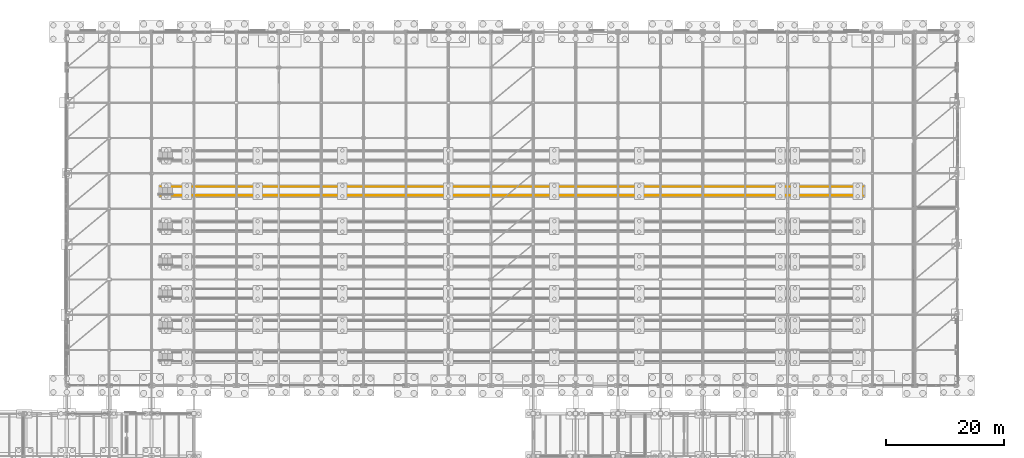
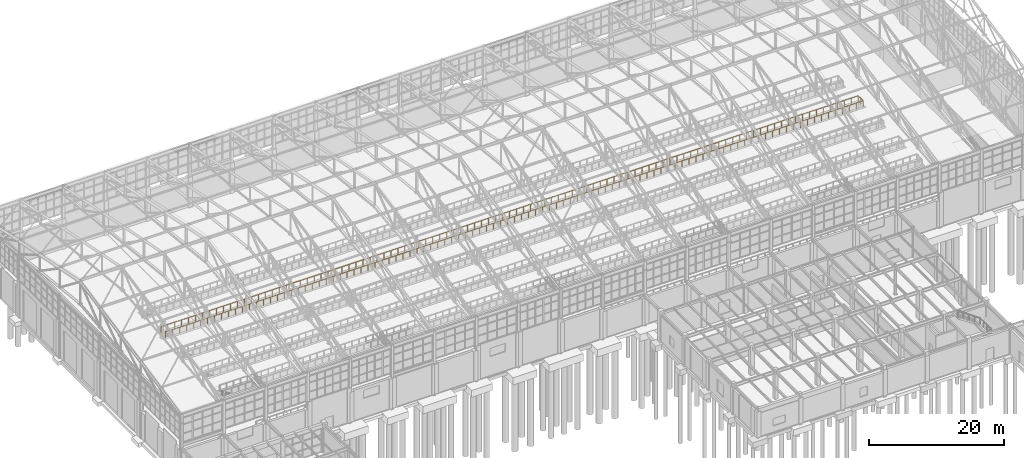
# One storey, part 287 of 293: 1 railing.
"""IFC4 building model written with IfcOpenShell, lengths in metres."""

from ifc_helpers import new_model, si_unit, direction, frame, origin, origin_2d, place, context, subcontext, project, spatial, circle, extrude, material, type_object, element, save


model = new_model("IFC4")

# Units and contexts
model_context = context("Model", 3, precision=1e-05, world=origin(), true_north=direction((0.0, 1.0)))
body_context = subcontext(model_context, "Body", "Model", "MODEL_VIEW")
ifc_project = project(units=[si_unit("LENGTHUNIT", "METRE"), si_unit("AREAUNIT", "SQUARE_METRE"), si_unit("VOLUMEUNIT", "CUBIC_METRE"), si_unit("PLANEANGLEUNIT", "RADIAN"), si_unit("MASSUNIT", "GRAM", prefix="KILO")], contexts=[model_context])

# Site, building, storey
site_placement = place(None, origin())
site = spatial("IfcSite", under=ifc_project, at=site_placement, CompositionType="ELEMENT")
building_placement = place(site_placement, origin())
building = spatial("IfcBuilding", under=site, at=building_placement, Name="Kemerveld Promenade Tramway Depot", CompositionType="ELEMENT")
storey_placement = place(building_placement, origin())
storey = spatial("IfcBuildingStorey", under=building, at=storey_placement, Name="L00", CompositionType="ELEMENT", Elevation=0.0)

# Railing
ifc_material = material(Name="Galvanised painted steel balustrade", Category="steel")
railing_type = type_object("IfcRailingType", Name="RL-GRD-1100", PredefinedType="GUARDRAIL", material=ifc_material)
railing_placement = place(storey_placement, frame((51.949951171875, 116.39501953125, 0.0)))
element("IfcRailing", 1, at=railing_placement, inside=storey, type_object=railing_type, Name="RL-PIT-PIT-06", PredefinedType="GUARDRAIL", context=body_context, shape_type="SweptSolid", body=[
    extrude(circle(Radius=0.02392578125, at=origin_2d()), frame((0.0, 0.0, 1.09619140625), z_axis=(0.0, -1.0, 0.0), x_axis=(1.0, 0.0, 0.0)), (0.0, 0.0, 1.0), 0.14501953125),
    extrude(circle(Radius=0.02392578125, at=origin_2d()), frame((0.0, -0.14501953125, 1.09619140625), z_axis=(1.0, 0.0, 0.0), x_axis=(0.0, 1.0, 0.0)), (0.0, 0.0, 1.0), 119.300048828125),
    extrude(circle(Radius=0.02392578125, at=origin_2d()), frame((119.300048828125, -0.14501953125, 1.09619140625), z_axis=(0.0, 1.0, 0.0), x_axis=(-1.0, 0.0, 0.0)), (0.0, 0.0, 1.0), 1.5),
    extrude(circle(Radius=0.02392578125, at=origin_2d()), frame((119.300048828125, 1.35498046875, 1.09619140625), z_axis=(-1.0, 0.0, 0.0), x_axis=(0.0, -1.0, 0.0)), (0.0, 0.0, 1.0), 119.300048828125),
    extrude(circle(Radius=0.02392578125, at=origin_2d()), frame((0.0, 1.35498046875, 1.09619140625), z_axis=(0.0, -1.0, 0.0), x_axis=(1.0, 0.0, 0.0)), (0.0, 0.0, 1.0), 0.14501953125),
    extrude(circle(Radius=0.02099609375, at=origin_2d()), origin(), (0.0, 0.0, 1.0), 1.072021484375),
    extrude(circle(Radius=0.02099609375, at=origin_2d()), frame((0.0, -0.14501953125, 0.0)), (0.0, 0.0, 1.0), 1.072021484375),
    extrude(circle(Radius=0.02099609375, at=origin_2d()), frame((1.193115234375, -0.14501953125, 0.0)), (0.0, 0.0, 1.0), 1.072021484375),
    extrude(circle(Radius=0.02099609375, at=origin_2d()), frame((2.385986328125, -0.14501953125, 0.0)), (0.0, 0.0, 1.0), 1.072021484375),
    extrude(circle(Radius=0.02099609375, at=origin_2d()), frame((3.5791015625, -0.14501953125, 0.0)), (0.0, 0.0, 1.0), 1.072021484375),
    extrude(circle(Radius=0.02099609375, at=origin_2d()), frame((4.77197265625, -0.14501953125, 0.0)), (0.0, 0.0, 1.0), 1.072021484375),
    extrude(circle(Radius=0.02099609375, at=origin_2d()), frame((5.965087890625, -0.14501953125, 0.0)), (0.0, 0.0, 1.0), 1.072021484375),
    extrude(circle(Radius=0.02099609375, at=origin_2d()), frame((7.157958984375, -0.14501953125, 0.0)), (0.0, 0.0, 1.0), 1.072021484375),
    extrude(circle(Radius=0.02099609375, at=origin_2d()), frame((8.35107421875, -0.14501953125, 0.0)), (0.0, 0.0, 1.0), 1.072021484375),
    extrude(circle(Radius=0.02099609375, at=origin_2d()), frame((9.5439453125, -0.14501953125, 0.0)), (0.0, 0.0, 1.0), 1.072021484375),
    extrude(circle(Radius=0.02099609375, at=origin_2d()), frame((10.737060546875, -0.14501953125, 0.0)), (0.0, 0.0, 1.0), 1.072021484375),
    extrude(circle(Radius=0.02099609375, at=origin_2d()), frame((11.929931640625, -0.14501953125, 0.0)), (0.0, 0.0, 1.0), 1.072021484375),
    extrude(circle(Radius=0.02099609375, at=origin_2d()), frame((13.123046875, -0.14501953125, 0.0)), (0.0, 0.0, 1.0), 1.072021484375),
    extrude(circle(Radius=0.02099609375, at=origin_2d()), frame((14.31591796875, -0.14501953125, 0.0)), (0.0, 0.0, 1.0), 1.072021484375),
    extrude(circle(Radius=0.02099609375, at=origin_2d()), frame((15.509033203125, -0.14501953125, 0.0)), (0.0, 0.0, 1.0), 1.072021484375),
    extrude(circle(Radius=0.02099609375, at=origin_2d()), frame((16.701904296875, -0.14501953125, 0.0)), (0.0, 0.0, 1.0), 1.072021484375),
    extrude(circle(Radius=0.02099609375, at=origin_2d()), frame((17.89501953125, -0.14501953125, 0.0)), (0.0, 0.0, 1.0), 1.072021484375),
    extrude(circle(Radius=0.02099609375, at=origin_2d()), frame((19.087890625, -0.14501953125, 0.0)), (0.0, 0.0, 1.0), 1.072021484375),
    extrude(circle(Radius=0.02099609375, at=origin_2d()), frame((20.281005859375, -0.14501953125, 0.0)), (0.0, 0.0, 1.0), 1.072021484375),
    extrude(circle(Radius=0.02099609375, at=origin_2d()), frame((21.47412109375, -0.14501953125, 0.0)), (0.0, 0.0, 1.0), 1.072021484375),
    extrude(circle(Radius=0.02099609375, at=origin_2d()), frame((22.6669921875, -0.14501953125, 0.0)), (0.0, 0.0, 1.0), 1.072021484375),
    extrude(circle(Radius=0.02099609375, at=origin_2d()), frame((23.860107421875, -0.14501953125, 0.0)), (0.0, 0.0, 1.0), 1.072021484375),
    extrude(circle(Radius=0.02099609375, at=origin_2d()), frame((25.052978515625, -0.14501953125, 0.0)), (0.0, 0.0, 1.0), 1.072021484375),
    extrude(circle(Radius=0.02099609375, at=origin_2d()), frame((26.24609375, -0.14501953125, 0.0)), (0.0, 0.0, 1.0), 1.072021484375),
    extrude(circle(Radius=0.02099609375, at=origin_2d()), frame((27.43896484375, -0.14501953125, 0.0)), (0.0, 0.0, 1.0), 1.072021484375),
    extrude(circle(Radius=0.02099609375, at=origin_2d()), frame((28.632080078125, -0.14501953125, 0.0)), (0.0, 0.0, 1.0), 1.072021484375),
    extrude(circle(Radius=0.02099609375, at=origin_2d()), frame((29.824951171875, -0.14501953125, 0.0)), (0.0, 0.0, 1.0), 1.072021484375),
    extrude(circle(Radius=0.02099609375, at=origin_2d()), frame((31.01806640625, -0.14501953125, 0.0)), (0.0, 0.0, 1.0), 1.072021484375),
    extrude(circle(Radius=0.02099609375, at=origin_2d()), frame((32.2109375, -0.14501953125, 0.0)), (0.0, 0.0, 1.0), 1.072021484375),
    extrude(circle(Radius=0.02099609375, at=origin_2d()), frame((33.404052734375, -0.14501953125, 0.0)), (0.0, 0.0, 1.0), 1.072021484375),
    extrude(circle(Radius=0.02099609375, at=origin_2d()), frame((34.596923828125, -0.14501953125, 0.0)), (0.0, 0.0, 1.0), 1.072021484375),
    extrude(circle(Radius=0.02099609375, at=origin_2d()), frame((35.7900390625, -0.14501953125, 0.0)), (0.0, 0.0, 1.0), 1.072021484375),
    extrude(circle(Radius=0.02099609375, at=origin_2d()), frame((36.98291015625, -0.14501953125, 0.0)), (0.0, 0.0, 1.0), 1.072021484375),
    extrude(circle(Radius=0.02099609375, at=origin_2d()), frame((38.176025390625, -0.14501953125, 0.0)), (0.0, 0.0, 1.0), 1.072021484375),
    extrude(circle(Radius=0.02099609375, at=origin_2d()), frame((39.368896484375, -0.14501953125, 0.0)), (0.0, 0.0, 1.0), 1.072021484375),
    extrude(circle(Radius=0.02099609375, at=origin_2d()), frame((40.56201171875, -0.14501953125, 0.0)), (0.0, 0.0, 1.0), 1.072021484375),
    extrude(circle(Radius=0.02099609375, at=origin_2d()), frame((41.755126953125, -0.14501953125, 0.0)), (0.0, 0.0, 1.0), 1.072021484375),
    extrude(circle(Radius=0.02099609375, at=origin_2d()), frame((42.947998046875, -0.14501953125, 0.0)), (0.0, 0.0, 1.0), 1.072021484375),
    extrude(circle(Radius=0.02099609375, at=origin_2d()), frame((44.14111328125, -0.14501953125, 0.0)), (0.0, 0.0, 1.0), 1.072021484375),
    extrude(circle(Radius=0.02099609375, at=origin_2d()), frame((45.333984375, -0.14501953125, 0.0)), (0.0, 0.0, 1.0), 1.072021484375),
    extrude(circle(Radius=0.02099609375, at=origin_2d()), frame((46.527099609375, -0.14501953125, 0.0)), (0.0, 0.0, 1.0), 1.072021484375),
    extrude(circle(Radius=0.02099609375, at=origin_2d()), frame((47.719970703125, -0.14501953125, 0.0)), (0.0, 0.0, 1.0), 1.072021484375),
    extrude(circle(Radius=0.02099609375, at=origin_2d()), frame((48.9130859375, -0.14501953125, 0.0)), (0.0, 0.0, 1.0), 1.072021484375),
    extrude(circle(Radius=0.02099609375, at=origin_2d()), frame((50.10595703125, -0.14501953125, 0.0)), (0.0, 0.0, 1.0), 1.072021484375),
    extrude(circle(Radius=0.02099609375, at=origin_2d()), frame((51.299072265625, -0.14501953125, 0.0)), (0.0, 0.0, 1.0), 1.072021484375),
    extrude(circle(Radius=0.02099609375, at=origin_2d()), frame((52.491943359375, -0.14501953125, 0.0)), (0.0, 0.0, 1.0), 1.072021484375),
    extrude(circle(Radius=0.02099609375, at=origin_2d()), frame((53.68505859375, -0.14501953125, 0.0)), (0.0, 0.0, 1.0), 1.072021484375),
    extrude(circle(Radius=0.02099609375, at=origin_2d()), frame((54.8779296875, -0.14501953125, 0.0)), (0.0, 0.0, 1.0), 1.072021484375),
    extrude(circle(Radius=0.02099609375, at=origin_2d()), frame((56.071044921875, -0.14501953125, 0.0)), (0.0, 0.0, 1.0), 1.072021484375),
    extrude(circle(Radius=0.02099609375, at=origin_2d()), frame((57.263916015625, -0.14501953125, 0.0)), (0.0, 0.0, 1.0), 1.072021484375),
    extrude(circle(Radius=0.02099609375, at=origin_2d()), frame((58.45703125, -0.14501953125, 0.0)), (0.0, 0.0, 1.0), 1.072021484375),
    extrude(circle(Radius=0.02099609375, at=origin_2d()), frame((59.64990234375, -0.14501953125, 0.0)), (0.0, 0.0, 1.0), 1.072021484375),
    extrude(circle(Radius=0.02099609375, at=origin_2d()), frame((60.843017578125, -0.14501953125, 0.0)), (0.0, 0.0, 1.0), 1.072021484375),
    extrude(circle(Radius=0.02099609375, at=origin_2d()), frame((62.0361328125, -0.14501953125, 0.0)), (0.0, 0.0, 1.0), 1.072021484375),
    extrude(circle(Radius=0.02099609375, at=origin_2d()), frame((63.22900390625, -0.14501953125, 0.0)), (0.0, 0.0, 1.0), 1.072021484375),
    extrude(circle(Radius=0.02099609375, at=origin_2d()), frame((64.422119140625, -0.14501953125, 0.0)), (0.0, 0.0, 1.0), 1.072021484375),
    extrude(circle(Radius=0.02099609375, at=origin_2d()), frame((65.614990234375, -0.14501953125, 0.0)), (0.0, 0.0, 1.0), 1.072021484375),
    extrude(circle(Radius=0.02099609375, at=origin_2d()), frame((66.80810546875, -0.14501953125, 0.0)), (0.0, 0.0, 1.0), 1.072021484375),
    extrude(circle(Radius=0.02099609375, at=origin_2d()), frame((68.0009765625, -0.14501953125, 0.0)), (0.0, 0.0, 1.0), 1.072021484375),
    extrude(circle(Radius=0.02099609375, at=origin_2d()), frame((69.194091796875, -0.14501953125, 0.0)), (0.0, 0.0, 1.0), 1.072021484375),
    extrude(circle(Radius=0.02099609375, at=origin_2d()), frame((70.386962890625, -0.14501953125, 0.0)), (0.0, 0.0, 1.0), 1.072021484375),
    extrude(circle(Radius=0.02099609375, at=origin_2d()), frame((71.580078125, -0.14501953125, 0.0)), (0.0, 0.0, 1.0), 1.072021484375),
    extrude(circle(Radius=0.02099609375, at=origin_2d()), frame((72.77294921875, -0.14501953125, 0.0)), (0.0, 0.0, 1.0), 1.072021484375),
    extrude(circle(Radius=0.02099609375, at=origin_2d()), frame((73.966064453125, -0.14501953125, 0.0)), (0.0, 0.0, 1.0), 1.072021484375),
    extrude(circle(Radius=0.02099609375, at=origin_2d()), frame((75.158935546875, -0.14501953125, 0.0)), (0.0, 0.0, 1.0), 1.072021484375),
    extrude(circle(Radius=0.02099609375, at=origin_2d()), frame((76.35205078125, -0.14501953125, 0.0)), (0.0, 0.0, 1.0), 1.072021484375),
    extrude(circle(Radius=0.02099609375, at=origin_2d()), frame((77.544921875, -0.14501953125, 0.0)), (0.0, 0.0, 1.0), 1.072021484375),
    extrude(circle(Radius=0.02099609375, at=origin_2d()), frame((78.738037109375, -0.14501953125, 0.0)), (0.0, 0.0, 1.0), 1.072021484375),
    extrude(circle(Radius=0.02099609375, at=origin_2d()), frame((79.93115234375, -0.14501953125, 0.0)), (0.0, 0.0, 1.0), 1.072021484375),
    extrude(circle(Radius=0.02099609375, at=origin_2d()), frame((81.1240234375, -0.14501953125, 0.0)), (0.0, 0.0, 1.0), 1.072021484375),
    extrude(circle(Radius=0.02099609375, at=origin_2d()), frame((82.317138671875, -0.14501953125, 0.0)), (0.0, 0.0, 1.0), 1.072021484375),
    extrude(circle(Radius=0.02099609375, at=origin_2d()), frame((83.510009765625, -0.14501953125, 0.0)), (0.0, 0.0, 1.0), 1.072021484375),
    extrude(circle(Radius=0.02099609375, at=origin_2d()), frame((84.703125, -0.14501953125, 0.0)), (0.0, 0.0, 1.0), 1.072021484375),
    extrude(circle(Radius=0.02099609375, at=origin_2d()), frame((85.89599609375, -0.14501953125, 0.0)), (0.0, 0.0, 1.0), 1.072021484375),
    extrude(circle(Radius=0.02099609375, at=origin_2d()), frame((87.089111328125, -0.14501953125, 0.0)), (0.0, 0.0, 1.0), 1.072021484375),
    extrude(circle(Radius=0.02099609375, at=origin_2d()), frame((88.281982421875, -0.14501953125, 0.0)), (0.0, 0.0, 1.0), 1.072021484375),
    extrude(circle(Radius=0.02099609375, at=origin_2d()), frame((89.47509765625, -0.14501953125, 0.0)), (0.0, 0.0, 1.0), 1.072021484375),
    extrude(circle(Radius=0.02099609375, at=origin_2d()), frame((90.66796875, -0.14501953125, 0.0)), (0.0, 0.0, 1.0), 1.072021484375),
    extrude(circle(Radius=0.02099609375, at=origin_2d()), frame((91.861083984375, -0.14501953125, 0.0)), (0.0, 0.0, 1.0), 1.072021484375),
    extrude(circle(Radius=0.02099609375, at=origin_2d()), frame((93.053955078125, -0.14501953125, 0.0)), (0.0, 0.0, 1.0), 1.072021484375),
    extrude(circle(Radius=0.02099609375, at=origin_2d()), frame((94.2470703125, -0.14501953125, 0.0)), (0.0, 0.0, 1.0), 1.072021484375),
    extrude(circle(Radius=0.02099609375, at=origin_2d()), frame((95.43994140625, -0.14501953125, 0.0)), (0.0, 0.0, 1.0), 1.072021484375),
    extrude(circle(Radius=0.02099609375, at=origin_2d()), frame((96.633056640625, -0.14501953125, 0.0)), (0.0, 0.0, 1.0), 1.072021484375),
    extrude(circle(Radius=0.02099609375, at=origin_2d()), frame((97.825927734375, -0.14501953125, 0.0)), (0.0, 0.0, 1.0), 1.072021484375),
    extrude(circle(Radius=0.02099609375, at=origin_2d()), frame((99.01904296875, -0.14501953125, 0.0)), (0.0, 0.0, 1.0), 1.072021484375),
    extrude(circle(Radius=0.02099609375, at=origin_2d()), frame((100.212158203125, -0.14501953125, 0.0)), (0.0, 0.0, 1.0), 1.072021484375),
    extrude(circle(Radius=0.02099609375, at=origin_2d()), frame((101.405029296875, -0.14501953125, 0.0)), (0.0, 0.0, 1.0), 1.072021484375),
    extrude(circle(Radius=0.02099609375, at=origin_2d()), frame((102.59814453125, -0.14501953125, 0.0)), (0.0, 0.0, 1.0), 1.072021484375),
    extrude(circle(Radius=0.02099609375, at=origin_2d()), frame((103.791015625, -0.14501953125, 0.0)), (0.0, 0.0, 1.0), 1.072021484375),
    extrude(circle(Radius=0.02099609375, at=origin_2d()), frame((104.984130859375, -0.14501953125, 0.0)), (0.0, 0.0, 1.0), 1.072021484375),
    extrude(circle(Radius=0.02099609375, at=origin_2d()), frame((106.177001953125, -0.14501953125, 0.0)), (0.0, 0.0, 1.0), 1.072021484375),
    extrude(circle(Radius=0.02099609375, at=origin_2d()), frame((107.3701171875, -0.14501953125, 0.0)), (0.0, 0.0, 1.0), 1.072021484375),
    extrude(circle(Radius=0.02099609375, at=origin_2d()), frame((108.56298828125, -0.14501953125, 0.0)), (0.0, 0.0, 1.0), 1.072021484375),
    extrude(circle(Radius=0.02099609375, at=origin_2d()), frame((109.756103515625, -0.14501953125, 0.0)), (0.0, 0.0, 1.0), 1.072021484375),
    extrude(circle(Radius=0.02099609375, at=origin_2d()), frame((110.948974609375, -0.14501953125, 0.0)), (0.0, 0.0, 1.0), 1.072021484375),
    extrude(circle(Radius=0.02099609375, at=origin_2d()), frame((112.14208984375, -0.14501953125, 0.0)), (0.0, 0.0, 1.0), 1.072021484375),
    extrude(circle(Radius=0.02099609375, at=origin_2d()), frame((113.3349609375, -0.14501953125, 0.0)), (0.0, 0.0, 1.0), 1.072021484375),
    extrude(circle(Radius=0.02099609375, at=origin_2d()), frame((114.528076171875, -0.14501953125, 0.0)), (0.0, 0.0, 1.0), 1.072021484375),
    extrude(circle(Radius=0.02099609375, at=origin_2d()), frame((115.720947265625, -0.14501953125, 0.0)), (0.0, 0.0, 1.0), 1.072021484375),
    extrude(circle(Radius=0.02099609375, at=origin_2d()), frame((116.9140625, -0.14501953125, 0.0)), (0.0, 0.0, 1.0), 1.072021484375),
    extrude(circle(Radius=0.02099609375, at=origin_2d()), frame((118.10693359375, -0.14501953125, 0.0)), (0.0, 0.0, 1.0), 1.072021484375),
    extrude(circle(Radius=0.02099609375, at=origin_2d()), frame((119.300048828125, -0.14501953125, 0.0)), (0.0, 0.0, 1.0), 1.072021484375),
    extrude(circle(Radius=0.02099609375, at=origin_2d()), frame((119.300048828125, 0.60498046875, 0.0)), (0.0, 0.0, 1.0), 1.072021484375),
    extrude(circle(Radius=0.02099609375, at=origin_2d()), frame((119.300048828125, 1.35498046875, 0.0)), (0.0, 0.0, 1.0), 1.072021484375),
    extrude(circle(Radius=0.02099609375, at=origin_2d()), frame((118.10693359375, 1.35498046875, 0.0)), (0.0, 0.0, 1.0), 1.072021484375),
    extrude(circle(Radius=0.02099609375, at=origin_2d()), frame((116.9140625, 1.35498046875, 0.0)), (0.0, 0.0, 1.0), 1.072021484375),
    extrude(circle(Radius=0.02099609375, at=origin_2d()), frame((115.720947265625, 1.35498046875, 0.0)), (0.0, 0.0, 1.0), 1.072021484375),
    extrude(circle(Radius=0.02099609375, at=origin_2d()), frame((114.528076171875, 1.35498046875, 0.0)), (0.0, 0.0, 1.0), 1.072021484375),
    extrude(circle(Radius=0.02099609375, at=origin_2d()), frame((113.3349609375, 1.35498046875, 0.0)), (0.0, 0.0, 1.0), 1.072021484375),
    extrude(circle(Radius=0.02099609375, at=origin_2d()), frame((112.14208984375, 1.35498046875, 0.0)), (0.0, 0.0, 1.0), 1.072021484375),
    extrude(circle(Radius=0.02099609375, at=origin_2d()), frame((110.948974609375, 1.35498046875, 0.0)), (0.0, 0.0, 1.0), 1.072021484375),
    extrude(circle(Radius=0.02099609375, at=origin_2d()), frame((109.756103515625, 1.35498046875, 0.0)), (0.0, 0.0, 1.0), 1.072021484375),
    extrude(circle(Radius=0.02099609375, at=origin_2d()), frame((108.56298828125, 1.35498046875, 0.0)), (0.0, 0.0, 1.0), 1.072021484375),
    extrude(circle(Radius=0.02099609375, at=origin_2d()), frame((107.3701171875, 1.35498046875, 0.0)), (0.0, 0.0, 1.0), 1.072021484375),
    extrude(circle(Radius=0.02099609375, at=origin_2d()), frame((106.177001953125, 1.35498046875, 0.0)), (0.0, 0.0, 1.0), 1.072021484375),
    extrude(circle(Radius=0.02099609375, at=origin_2d()), frame((104.984130859375, 1.35498046875, 0.0)), (0.0, 0.0, 1.0), 1.072021484375),
    extrude(circle(Radius=0.02099609375, at=origin_2d()), frame((103.791015625, 1.35498046875, 0.0)), (0.0, 0.0, 1.0), 1.072021484375),
    extrude(circle(Radius=0.02099609375, at=origin_2d()), frame((102.59814453125, 1.35498046875, 0.0)), (0.0, 0.0, 1.0), 1.072021484375),
    extrude(circle(Radius=0.02099609375, at=origin_2d()), frame((101.405029296875, 1.35498046875, 0.0)), (0.0, 0.0, 1.0), 1.072021484375),
    extrude(circle(Radius=0.02099609375, at=origin_2d()), frame((100.212158203125, 1.35498046875, 0.0)), (0.0, 0.0, 1.0), 1.072021484375),
    extrude(circle(Radius=0.02099609375, at=origin_2d()), frame((99.01904296875, 1.35498046875, 0.0)), (0.0, 0.0, 1.0), 1.072021484375),
    extrude(circle(Radius=0.02099609375, at=origin_2d()), frame((97.825927734375, 1.35498046875, 0.0)), (0.0, 0.0, 1.0), 1.072021484375),
    extrude(circle(Radius=0.02099609375, at=origin_2d()), frame((96.633056640625, 1.35498046875, 0.0)), (0.0, 0.0, 1.0), 1.072021484375),
    extrude(circle(Radius=0.02099609375, at=origin_2d()), frame((95.43994140625, 1.35498046875, 0.0)), (0.0, 0.0, 1.0), 1.072021484375),
    extrude(circle(Radius=0.02099609375, at=origin_2d()), frame((94.2470703125, 1.35498046875, 0.0)), (0.0, 0.0, 1.0), 1.072021484375),
    extrude(circle(Radius=0.02099609375, at=origin_2d()), frame((93.053955078125, 1.35498046875, 0.0)), (0.0, 0.0, 1.0), 1.072021484375),
    extrude(circle(Radius=0.02099609375, at=origin_2d()), frame((91.861083984375, 1.35498046875, 0.0)), (0.0, 0.0, 1.0), 1.072021484375),
    extrude(circle(Radius=0.02099609375, at=origin_2d()), frame((90.66796875, 1.35498046875, 0.0)), (0.0, 0.0, 1.0), 1.072021484375),
    extrude(circle(Radius=0.02099609375, at=origin_2d()), frame((89.47509765625, 1.35498046875, 0.0)), (0.0, 0.0, 1.0), 1.072021484375),
    extrude(circle(Radius=0.02099609375, at=origin_2d()), frame((88.281982421875, 1.35498046875, 0.0)), (0.0, 0.0, 1.0), 1.072021484375),
    extrude(circle(Radius=0.02099609375, at=origin_2d()), frame((87.089111328125, 1.35498046875, 0.0)), (0.0, 0.0, 1.0), 1.072021484375),
    extrude(circle(Radius=0.02099609375, at=origin_2d()), frame((85.89599609375, 1.35498046875, 0.0)), (0.0, 0.0, 1.0), 1.072021484375),
    extrude(circle(Radius=0.02099609375, at=origin_2d()), frame((84.703125, 1.35498046875, 0.0)), (0.0, 0.0, 1.0), 1.072021484375),
    extrude(circle(Radius=0.02099609375, at=origin_2d()), frame((83.510009765625, 1.35498046875, 0.0)), (0.0, 0.0, 1.0), 1.072021484375),
    extrude(circle(Radius=0.02099609375, at=origin_2d()), frame((82.317138671875, 1.35498046875, 0.0)), (0.0, 0.0, 1.0), 1.072021484375),
    extrude(circle(Radius=0.02099609375, at=origin_2d()), frame((81.1240234375, 1.35498046875, 0.0)), (0.0, 0.0, 1.0), 1.072021484375),
    extrude(circle(Radius=0.02099609375, at=origin_2d()), frame((79.93115234375, 1.35498046875, 0.0)), (0.0, 0.0, 1.0), 1.072021484375),
    extrude(circle(Radius=0.02099609375, at=origin_2d()), frame((78.738037109375, 1.35498046875, 0.0)), (0.0, 0.0, 1.0), 1.072021484375),
    extrude(circle(Radius=0.02099609375, at=origin_2d()), frame((77.544921875, 1.35498046875, 0.0)), (0.0, 0.0, 1.0), 1.072021484375),
    extrude(circle(Radius=0.02099609375, at=origin_2d()), frame((76.35205078125, 1.35498046875, 0.0)), (0.0, 0.0, 1.0), 1.072021484375),
    extrude(circle(Radius=0.02099609375, at=origin_2d()), frame((75.158935546875, 1.35498046875, 0.0)), (0.0, 0.0, 1.0), 1.072021484375),
    extrude(circle(Radius=0.02099609375, at=origin_2d()), frame((73.966064453125, 1.35498046875, 0.0)), (0.0, 0.0, 1.0), 1.072021484375),
    extrude(circle(Radius=0.02099609375, at=origin_2d()), frame((72.77294921875, 1.35498046875, 0.0)), (0.0, 0.0, 1.0), 1.072021484375),
    extrude(circle(Radius=0.02099609375, at=origin_2d()), frame((71.580078125, 1.35498046875, 0.0)), (0.0, 0.0, 1.0), 1.072021484375),
    extrude(circle(Radius=0.02099609375, at=origin_2d()), frame((70.386962890625, 1.35498046875, 0.0)), (0.0, 0.0, 1.0), 1.072021484375),
    extrude(circle(Radius=0.02099609375, at=origin_2d()), frame((69.194091796875, 1.35498046875, 0.0)), (0.0, 0.0, 1.0), 1.072021484375),
    extrude(circle(Radius=0.02099609375, at=origin_2d()), frame((68.0009765625, 1.35498046875, 0.0)), (0.0, 0.0, 1.0), 1.072021484375),
    extrude(circle(Radius=0.02099609375, at=origin_2d()), frame((66.80810546875, 1.35498046875, 0.0)), (0.0, 0.0, 1.0), 1.072021484375),
    extrude(circle(Radius=0.02099609375, at=origin_2d()), frame((65.614990234375, 1.35498046875, 0.0)), (0.0, 0.0, 1.0), 1.072021484375),
    extrude(circle(Radius=0.02099609375, at=origin_2d()), frame((64.422119140625, 1.35498046875, 0.0)), (0.0, 0.0, 1.0), 1.072021484375),
    extrude(circle(Radius=0.02099609375, at=origin_2d()), frame((63.22900390625, 1.35498046875, 0.0)), (0.0, 0.0, 1.0), 1.072021484375),
    extrude(circle(Radius=0.02099609375, at=origin_2d()), frame((62.0361328125, 1.35498046875, 0.0)), (0.0, 0.0, 1.0), 1.072021484375),
    extrude(circle(Radius=0.02099609375, at=origin_2d()), frame((60.843017578125, 1.35498046875, 0.0)), (0.0, 0.0, 1.0), 1.072021484375),
    extrude(circle(Radius=0.02099609375, at=origin_2d()), frame((59.64990234375, 1.35498046875, 0.0)), (0.0, 0.0, 1.0), 1.072021484375),
    extrude(circle(Radius=0.02099609375, at=origin_2d()), frame((58.45703125, 1.35498046875, 0.0)), (0.0, 0.0, 1.0), 1.072021484375),
    extrude(circle(Radius=0.02099609375, at=origin_2d()), frame((57.263916015625, 1.35498046875, 0.0)), (0.0, 0.0, 1.0), 1.072021484375),
    extrude(circle(Radius=0.02099609375, at=origin_2d()), frame((56.071044921875, 1.35498046875, 0.0)), (0.0, 0.0, 1.0), 1.072021484375),
    extrude(circle(Radius=0.02099609375, at=origin_2d()), frame((54.8779296875, 1.35498046875, 0.0)), (0.0, 0.0, 1.0), 1.072021484375),
    extrude(circle(Radius=0.02099609375, at=origin_2d()), frame((53.68505859375, 1.35498046875, 0.0)), (0.0, 0.0, 1.0), 1.072021484375),
    extrude(circle(Radius=0.02099609375, at=origin_2d()), frame((52.491943359375, 1.35498046875, 0.0)), (0.0, 0.0, 1.0), 1.072021484375),
    extrude(circle(Radius=0.02099609375, at=origin_2d()), frame((51.299072265625, 1.35498046875, 0.0)), (0.0, 0.0, 1.0), 1.072021484375),
    extrude(circle(Radius=0.02099609375, at=origin_2d()), frame((50.10595703125, 1.35498046875, 0.0)), (0.0, 0.0, 1.0), 1.072021484375),
    extrude(circle(Radius=0.02099609375, at=origin_2d()), frame((48.9130859375, 1.35498046875, 0.0)), (0.0, 0.0, 1.0), 1.072021484375),
    extrude(circle(Radius=0.02099609375, at=origin_2d()), frame((47.719970703125, 1.35498046875, 0.0)), (0.0, 0.0, 1.0), 1.072021484375),
    extrude(circle(Radius=0.02099609375, at=origin_2d()), frame((46.527099609375, 1.35498046875, 0.0)), (0.0, 0.0, 1.0), 1.072021484375),
    extrude(circle(Radius=0.02099609375, at=origin_2d()), frame((45.333984375, 1.35498046875, 0.0)), (0.0, 0.0, 1.0), 1.072021484375),
    extrude(circle(Radius=0.02099609375, at=origin_2d()), frame((44.14111328125, 1.35498046875, 0.0)), (0.0, 0.0, 1.0), 1.072021484375),
    extrude(circle(Radius=0.02099609375, at=origin_2d()), frame((42.947998046875, 1.35498046875, 0.0)), (0.0, 0.0, 1.0), 1.072021484375),
    extrude(circle(Radius=0.02099609375, at=origin_2d()), frame((41.755126953125, 1.35498046875, 0.0)), (0.0, 0.0, 1.0), 1.072021484375),
    extrude(circle(Radius=0.02099609375, at=origin_2d()), frame((40.56201171875, 1.35498046875, 0.0)), (0.0, 0.0, 1.0), 1.072021484375),
    extrude(circle(Radius=0.02099609375, at=origin_2d()), frame((39.368896484375, 1.35498046875, 0.0)), (0.0, 0.0, 1.0), 1.072021484375),
    extrude(circle(Radius=0.02099609375, at=origin_2d()), frame((38.176025390625, 1.35498046875, 0.0)), (0.0, 0.0, 1.0), 1.072021484375),
    extrude(circle(Radius=0.02099609375, at=origin_2d()), frame((36.98291015625, 1.35498046875, 0.0)), (0.0, 0.0, 1.0), 1.072021484375),
    extrude(circle(Radius=0.02099609375, at=origin_2d()), frame((35.7900390625, 1.35498046875, 0.0)), (0.0, 0.0, 1.0), 1.072021484375),
    extrude(circle(Radius=0.02099609375, at=origin_2d()), frame((34.596923828125, 1.35498046875, 0.0)), (0.0, 0.0, 1.0), 1.072021484375),
    extrude(circle(Radius=0.02099609375, at=origin_2d()), frame((33.404052734375, 1.35498046875, 0.0)), (0.0, 0.0, 1.0), 1.072021484375),
    extrude(circle(Radius=0.02099609375, at=origin_2d()), frame((32.2109375, 1.35498046875, 0.0)), (0.0, 0.0, 1.0), 1.072021484375),
    extrude(circle(Radius=0.02099609375, at=origin_2d()), frame((31.01806640625, 1.35498046875, 0.0)), (0.0, 0.0, 1.0), 1.072021484375),
    extrude(circle(Radius=0.02099609375, at=origin_2d()), frame((29.824951171875, 1.35498046875, 0.0)), (0.0, 0.0, 1.0), 1.072021484375),
    extrude(circle(Radius=0.02099609375, at=origin_2d()), frame((28.632080078125, 1.35498046875, 0.0)), (0.0, 0.0, 1.0), 1.072021484375),
    extrude(circle(Radius=0.02099609375, at=origin_2d()), frame((27.43896484375, 1.35498046875, 0.0)), (0.0, 0.0, 1.0), 1.072021484375),
    extrude(circle(Radius=0.02099609375, at=origin_2d()), frame((26.24609375, 1.35498046875, 0.0)), (0.0, 0.0, 1.0), 1.072021484375),
    extrude(circle(Radius=0.02099609375, at=origin_2d()), frame((25.052978515625, 1.35498046875, 0.0)), (0.0, 0.0, 1.0), 1.072021484375),
    extrude(circle(Radius=0.02099609375, at=origin_2d()), frame((23.860107421875, 1.35498046875, 0.0)), (0.0, 0.0, 1.0), 1.072021484375),
    extrude(circle(Radius=0.02099609375, at=origin_2d()), frame((22.6669921875, 1.35498046875, 0.0)), (0.0, 0.0, 1.0), 1.072021484375),
    extrude(circle(Radius=0.02099609375, at=origin_2d()), frame((21.47412109375, 1.35498046875, 0.0)), (0.0, 0.0, 1.0), 1.072021484375),
    extrude(circle(Radius=0.02099609375, at=origin_2d()), frame((20.281005859375, 1.35498046875, 0.0)), (0.0, 0.0, 1.0), 1.072021484375),
    extrude(circle(Radius=0.02099609375, at=origin_2d()), frame((19.087890625, 1.35498046875, 0.0)), (0.0, 0.0, 1.0), 1.072021484375),
    extrude(circle(Radius=0.02099609375, at=origin_2d()), frame((17.89501953125, 1.35498046875, 0.0)), (0.0, 0.0, 1.0), 1.072021484375),
    extrude(circle(Radius=0.02099609375, at=origin_2d()), frame((16.701904296875, 1.35498046875, 0.0)), (0.0, 0.0, 1.0), 1.072021484375),
    extrude(circle(Radius=0.02099609375, at=origin_2d()), frame((15.509033203125, 1.35498046875, 0.0)), (0.0, 0.0, 1.0), 1.072021484375),
    extrude(circle(Radius=0.02099609375, at=origin_2d()), frame((14.31591796875, 1.35498046875, 0.0)), (0.0, 0.0, 1.0), 1.072021484375),
    extrude(circle(Radius=0.02099609375, at=origin_2d()), frame((13.123046875, 1.35498046875, 0.0)), (0.0, 0.0, 1.0), 1.072021484375),
    extrude(circle(Radius=0.02099609375, at=origin_2d()), frame((11.929931640625, 1.35498046875, 0.0)), (0.0, 0.0, 1.0), 1.072021484375),
    extrude(circle(Radius=0.02099609375, at=origin_2d()), frame((10.737060546875, 1.35498046875, 0.0)), (0.0, 0.0, 1.0), 1.072021484375),
    extrude(circle(Radius=0.02099609375, at=origin_2d()), frame((9.5439453125, 1.35498046875, 0.0)), (0.0, 0.0, 1.0), 1.072021484375),
    extrude(circle(Radius=0.02099609375, at=origin_2d()), frame((8.35107421875, 1.35498046875, 0.0)), (0.0, 0.0, 1.0), 1.072021484375),
    extrude(circle(Radius=0.02099609375, at=origin_2d()), frame((7.157958984375, 1.35498046875, 0.0)), (0.0, 0.0, 1.0), 1.072021484375),
    extrude(circle(Radius=0.02099609375, at=origin_2d()), frame((5.965087890625, 1.35498046875, 0.0)), (0.0, 0.0, 1.0), 1.072021484375),
    extrude(circle(Radius=0.02099609375, at=origin_2d()), frame((4.77197265625, 1.35498046875, 0.0)), (0.0, 0.0, 1.0), 1.072021484375),
    extrude(circle(Radius=0.02099609375, at=origin_2d()), frame((3.5791015625, 1.35498046875, 0.0)), (0.0, 0.0, 1.0), 1.072021484375),
    extrude(circle(Radius=0.02099609375, at=origin_2d()), frame((2.385986328125, 1.35498046875, 0.0)), (0.0, 0.0, 1.0), 1.072021484375),
    extrude(circle(Radius=0.02099609375, at=origin_2d()), frame((1.193115234375, 1.35498046875, 0.0)), (0.0, 0.0, 1.0), 1.072021484375),
    extrude(circle(Radius=0.02099609375, at=origin_2d()), frame((0.0, 1.35498046875, 0.0)), (0.0, 0.0, 1.0), 1.072021484375),
    extrude(circle(Radius=0.02099609375, at=origin_2d()), frame((0.0, 1.2099609375, 0.0)), (0.0, 0.0, 1.0), 1.072021484375),
])

save(model, "model.ifc")
